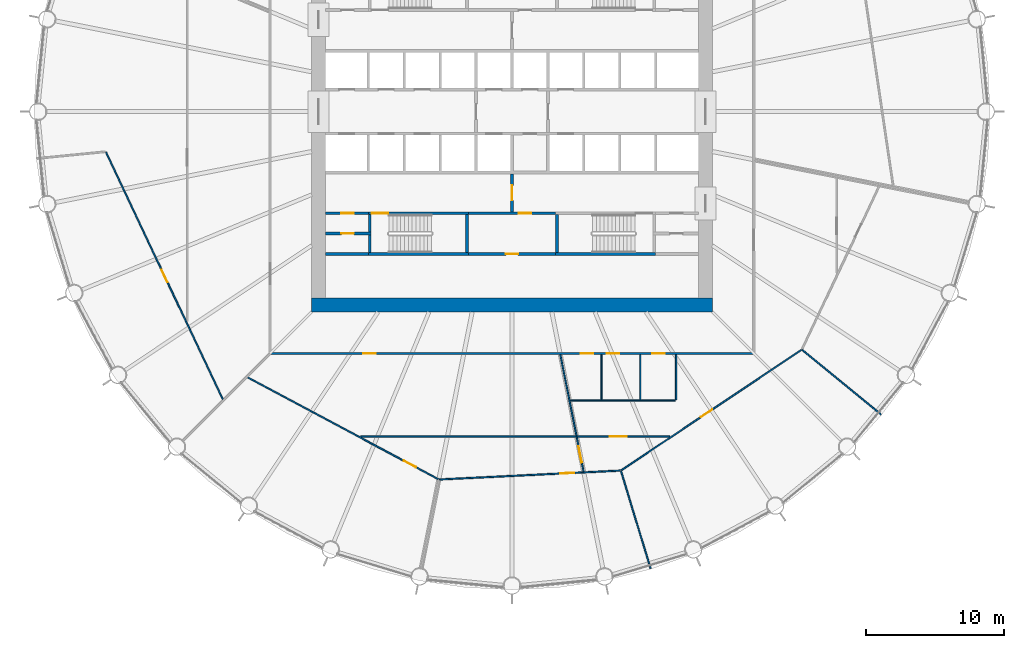
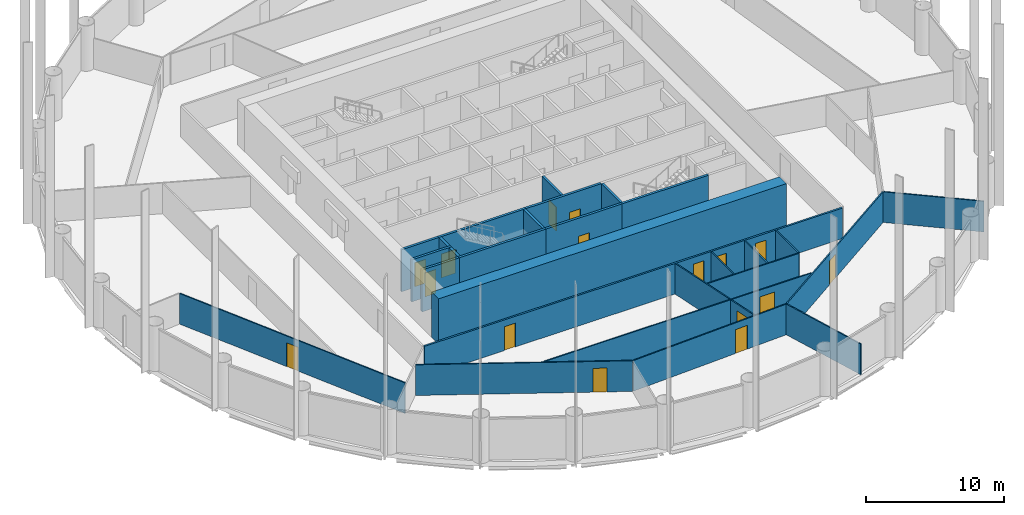
# One storey, part 4 of 10: 28 walls, 16 doors, 16 openings.
"""IFC4 building model written with IfcOpenShell, lengths in metres."""

from ifc_helpers import new_model, si_unit, direction, frame, frame_2d, origin, place, context, subcontext, project, spatial, polyline, rectangle, outline, extrude, material, layer, layer_set, type_object, element, fill, save


model = new_model("IFC4")

# Units and contexts
model_context = context("Model", 3, precision=1e-05, world=origin(), true_north=direction((0.0, 1.0)))
body_context = subcontext(model_context, "Body", "Model", "MODEL_VIEW")
ifc_project = project(units=[si_unit("LENGTHUNIT", "METRE"), si_unit("AREAUNIT", "SQUARE_METRE"), si_unit("VOLUMEUNIT", "CUBIC_METRE"), si_unit("PLANEANGLEUNIT", "RADIAN"), si_unit("MASSUNIT", "GRAM", prefix="KILO")], contexts=[model_context])

# Site, building, storey
site_placement = place(None, origin())
site = spatial("IfcSite", under=ifc_project, at=site_placement, CompositionType="ELEMENT")
building_placement = place(site_placement, origin())
building = spatial("IfcBuilding", under=site, at=building_placement, Name="Corvane Civic Tower", CompositionType="ELEMENT")
storey_placement = place(building_placement, frame((0.0, 0.0, 90.5)))
storey = spatial("IfcBuildingStorey", under=building, at=storey_placement, Name="L20", CompositionType="ELEMENT", Elevation=90.5)

# Wall
ifc_material_1 = material(Name="Concrete C70/85", Category="concrete")
ifc_layer_1 = layer(ifc_material_1, 1.0)
ifc_layer_set_1 = layer_set([ifc_layer_1], Name="Concrete C70/85")
wall_type_1 = type_object("IfcWallType", Name="CORE WALL 1000 C70/85", PredefinedType="SHEAR", material=ifc_layer_set_1)
wall_1_placement = place(storey_placement, frame((-14.5, -14.0, 0.0), z_axis=(0.0, 0.0, 1.0), x_axis=(1.0, 0.0, 0.0)))
element("IfcWall", 1, at=wall_1_placement, inside=storey, type_object=wall_type_1, Name="W-L20-core-S", PredefinedType="SHEAR", context=body_context, shape_type="SweptSolid", body=[
    extrude(rectangle(XDim=29.0, YDim=1.0, at=frame_2d((14.5, 0.0))), origin(), (0.0, 0.0, 1.0), 4.0),
])

# Wall, opening, door
ifc_material_2 = material(Name="Concrete C30/37", Category="concrete")
ifc_layer_2 = layer(ifc_material_2, 0.199951171875)
ifc_layer_set_2 = layer_set([ifc_layer_2], Name="Concrete C30/37")
wall_type_2 = type_object("IfcWallType", Name="CR-WALL-200", PredefinedType="PARTITIONING", material=ifc_layer_set_2)
wall_2_placement = place(storey_placement, frame((-3.14990234375, -10.300048828125, 0.0), z_axis=(0.0, 0.0, 1.0), x_axis=(1.0, 0.0, 0.0)))
wall_2 = element("IfcWall", 2, at=wall_2_placement, inside=storey, type_object=wall_type_2, Name="L20 partition wall", PredefinedType="PARTITIONING", context=body_context, shape_type="SweptSolid", body=[
    extrude(rectangle(XDim=6.2998046875, YDim=0.199951171875, at=frame_2d((3.14990234375, 0.0))), origin(), (0.0, 0.0, 1.0), 3.699951171875),
])
opening_1_placement = place(wall_2_placement, frame((2.699951171875, 0.0, 0.0)))
opening_1 = element("IfcOpeningElement", 3, at=opening_1_placement, cuts=wall_2, Name="Opening L20.C05", PredefinedType="OPENING", context=body_context, shape_type="SweptSolid", body=[
    extrude(rectangle(XDim=0.89990234375, YDim=2.10009765625, at=frame_2d((0.449951171875, 1.050048828125))), frame((0.0, 0.10986328125, 0.0), z_axis=(0.0, -1.0, 0.0), x_axis=(1.0, 0.0, 0.0)), (0.0, 0.0, 1.0), 0.219970703125),
])
ifc_material_3 = material(Name="Steel fire door leaf", Category="steel")
door_type_1 = type_object("IfcDoorType", Name="CR-DOOR-900", OperationType="SINGLE_SWING_LEFT", PredefinedType="DOOR", material=ifc_material_3)
door_1_placement = place(opening_1_placement, origin())
door_1 = element("IfcDoor", 4, at=door_1_placement, inside=storey, type_object=door_type_1, Name="L20 door", OperationType="SINGLE_SWING_LEFT", OverallHeight=2.10009765625, OverallWidth=0.89990234375, PredefinedType="DOOR", context=body_context, shape_type="SweptSolid", body=[
    extrude(rectangle(XDim=0.89990234375, YDim=2.10009765625, at=frame_2d((0.449951171875, 1.050048828125))), frame((0.0, 0.02490234375, 0.0), z_axis=(0.0, -1.0, 0.0), x_axis=(1.0, 0.0, 0.0)), (0.0, 0.0, 1.0), 0.050048828125),
])
fill(opening_1, door_1)

wall_3_placement = place(storey_placement, frame((-13.5, -8.824951171875, 0.0), z_axis=(0.0, 0.0, 1.0), x_axis=(1.0, 0.0, 0.0)))
wall_3 = element("IfcWall", 5, at=wall_3_placement, inside=storey, type_object=wall_type_2, Name="L20 partition wall", PredefinedType="PARTITIONING", context=body_context, shape_type="SweptSolid", body=[
    extrude(rectangle(XDim=3.300048828125, YDim=0.199951171875, at=frame_2d((1.64990234375, 0.0))), origin(), (0.0, 0.0, 1.0), 3.699951171875),
])
opening_2_placement = place(wall_3_placement, frame((1.14990234375, 0.0, 0.0)))
opening_2 = element("IfcOpeningElement", 6, at=opening_2_placement, cuts=wall_3, Name="Opening L20.C09", PredefinedType="OPENING", context=body_context, shape_type="SweptSolid", body=[
    extrude(rectangle(XDim=0.89990234375, YDim=2.10009765625, at=frame_2d((0.449951171875, 1.050048828125))), frame((0.0, 0.10986328125, 0.0), z_axis=(0.0, -1.0, 0.0), x_axis=(1.0, 0.0, 0.0)), (0.0, 0.0, 1.0), 0.219970703125),
])
door_2_placement = place(opening_2_placement, origin())
door_2 = element("IfcDoor", 7, at=door_2_placement, inside=storey, type_object=door_type_1, Name="L20 door", OperationType="SINGLE_SWING_LEFT", OverallHeight=2.10009765625, OverallWidth=0.89990234375, PredefinedType="DOOR", context=body_context, shape_type="SweptSolid", body=[
    extrude(rectangle(XDim=0.89990234375, YDim=2.10009765625, at=frame_2d((0.449951171875, 1.050048828125))), frame((0.0, 0.02490234375, 0.0), z_axis=(0.0, -1.0, 0.0), x_axis=(1.0, 0.0, 0.0)), (0.0, 0.0, 1.0), 0.050048828125),
])
fill(opening_2, door_2)

wall_4_placement = place(storey_placement, frame((-13.5, -7.35009765625, 0.0), z_axis=(0.0, 0.0, 1.0), x_axis=(1.0, 0.0, 0.0)))
wall_4 = element("IfcWall", 8, at=wall_4_placement, inside=storey, type_object=wall_type_2, Name="L20 core partition wall", PredefinedType="PARTITIONING", context=body_context, shape_type="SweptSolid", body=[
    extrude(rectangle(XDim=3.10009765625, YDim=0.199951171875, at=frame_2d((1.550048828125, 0.0))), origin(), (0.0, 0.0, 1.0), 3.699951171875),
])
opening_3_placement = place(wall_4_placement, frame((1.14990234375, 0.0, 0.0)))
opening_3 = element("IfcOpeningElement", 9, at=opening_3_placement, cuts=wall_4, Name="Opening L20.C08", PredefinedType="OPENING", context=body_context, shape_type="SweptSolid", body=[
    extrude(rectangle(XDim=0.89990234375, YDim=2.10009765625, at=frame_2d((0.449951171875, 1.050048828125))), frame((0.0, 0.10986328125, 0.0), z_axis=(0.0, -1.0, 0.0), x_axis=(1.0, 0.0, 0.0)), (0.0, 0.0, 1.0), 0.219970703125),
])
door_3_placement = place(opening_3_placement, origin())
door_3 = element("IfcDoor", 10, at=door_3_placement, inside=storey, type_object=door_type_1, Name="L20 door", OperationType="SINGLE_SWING_LEFT", OverallHeight=2.10009765625, OverallWidth=0.89990234375, PredefinedType="DOOR", context=body_context, shape_type="SweptSolid", body=[
    extrude(rectangle(XDim=0.89990234375, YDim=2.10009765625, at=frame_2d((0.449951171875, 1.050048828125))), frame((0.0, 0.02490234375, 0.0), z_axis=(0.0, -1.0, 0.0), x_axis=(1.0, 0.0, 0.0)), (0.0, 0.0, 1.0), 0.050048828125),
])
fill(opening_3, door_3)

wall_5_placement = place(storey_placement, frame((-3.14990234375, -7.35009765625, 0.0), z_axis=(0.0, 0.0, 1.0), x_axis=(1.0, 0.0, 0.0)))
wall_5 = element("IfcWall", 11, at=wall_5_placement, inside=storey, type_object=wall_type_2, Name="L20 partition wall", PredefinedType="PARTITIONING", context=body_context, shape_type="SweptSolid", body=[
    extrude(rectangle(XDim=6.2998046875, YDim=0.199951171875, at=frame_2d((3.14990234375, 0.0))), origin(), (0.0, 0.0, 1.0), 3.699951171875),
])
opening_4_placement = place(wall_5_placement, frame((3.64990234375, 0.0, 0.0)))
opening_4 = element("IfcOpeningElement", 12, at=opening_4_placement, cuts=wall_5, Name="Opening L20.C03", PredefinedType="OPENING", context=body_context, shape_type="SweptSolid", body=[
    extrude(rectangle(XDim=0.89990234375, YDim=2.10009765625, at=frame_2d((0.449951171875, 1.050048828125))), frame((0.0, 0.10986328125, 0.0), z_axis=(0.0, -1.0, 0.0), x_axis=(1.0, 0.0, 0.0)), (0.0, 0.0, 1.0), 0.219970703125),
])
door_4_placement = place(opening_4_placement, origin())
door_4 = element("IfcDoor", 13, at=door_4_placement, inside=storey, type_object=door_type_1, Name="L20 door", OperationType="SINGLE_SWING_LEFT", OverallHeight=2.10009765625, OverallWidth=0.89990234375, PredefinedType="DOOR", context=body_context, shape_type="SweptSolid", body=[
    extrude(rectangle(XDim=0.89990234375, YDim=2.10009765625, at=frame_2d((0.449951171875, 1.050048828125))), frame((0.0, 0.02490234375, 0.0), z_axis=(0.0, -1.0, 0.0), x_axis=(1.0, 0.0, 0.0)), (0.0, 0.0, 1.0), 0.050048828125),
])
fill(opening_4, door_4)

wall_6_placement = place(storey_placement, frame((0.0, -7.25, 0.0), z_axis=(0.0, 0.0, 1.0), x_axis=(0.0, 1.0, 0.0)))
wall_6 = element("IfcWall", 14, at=wall_6_placement, inside=storey, type_object=wall_type_2, Name="L20 core partition wall", PredefinedType="PARTITIONING", context=body_context, shape_type="SweptSolid", body=[
    extrude(rectangle(XDim=2.75, YDim=0.199951171875, at=frame_2d((1.375, 0.0))), origin(), (0.0, 0.0, 1.0), 3.699951171875),
])
opening_5_placement = place(wall_6_placement, frame((0.824951171875, 0.0, 0.0)))
opening_5 = element("IfcOpeningElement", 15, at=opening_5_placement, cuts=wall_6, Name="Opening L20.C21", PredefinedType="OPENING", context=body_context, shape_type="SweptSolid", body=[
    extrude(rectangle(XDim=1.10009765625, YDim=2.10009765625, at=frame_2d((0.550048828125, 1.050048828125))), frame((0.0, 0.10986328125, 0.0), z_axis=(0.0, -1.0, 0.0), x_axis=(1.0, 0.0, 0.0)), (0.0, 0.0, 1.0), 0.219970703125),
])
ifc_material_4 = material(Name="Steel fire door leaf", Category="steel")
door_type_2 = type_object("IfcDoorType", Name="CR-DOOR-FFL-1100", OperationType="SINGLE_SWING_LEFT", PredefinedType="DOOR", material=ifc_material_4)
door_5_placement = place(opening_5_placement, origin())
door_5 = element("IfcDoor", 16, at=door_5_placement, inside=storey, type_object=door_type_2, Name="L20 lobby door", OperationType="SINGLE_SWING_LEFT", OverallHeight=2.10009765625, OverallWidth=1.10009765625, PredefinedType="DOOR", context=body_context, shape_type="SweptSolid", body=[
    extrude(rectangle(XDim=1.10009765625, YDim=2.10009765625, at=frame_2d((0.550048828125, 1.050048828125))), frame((0.0, 0.02490234375, 0.0), z_axis=(0.0, -1.0, 0.0), x_axis=(1.0, 0.0, 0.0)), (0.0, 0.0, 1.0), 0.050048828125),
])
fill(opening_5, door_5)

# Walls
wall_7_placement = place(storey_placement, origin())
element("IfcWall", 17, at=wall_7_placement, inside=storey, type_object=wall_type_2, Name="L20 core partition wall", PredefinedType="PARTITIONING", context=body_context, shape_type="SweptSolid", body=[
    extrude(outline(polyline([(-10.39990234375, -10.39990234375), (-13.5, -10.39990234375), (-13.5, -10.199951171875), (-10.39990234375, -10.199951171875), (-10.39990234375, -10.39990234375)])), origin(), (0.0, 0.0, 1.0), 3.699951171875),
])
ifc_material_5 = material(Name="Plasterboard")
ifc_layer_3 = layer(ifc_material_5, 0.10009765625)
ifc_layer_set_3 = layer_set([ifc_layer_3], Name="Plasterboard")
wall_type_3 = type_object("IfcWallType", Name="Partition 100 plasterboard on studs", PredefinedType="PARTITIONING", material=ifc_layer_set_3)
wall_8_placement = place(storey_placement, frame((7.889892578125, -26.010009765625, 0.0), z_axis=(0.0, 0.0, 1.0), x_axis=(0.290291483037, -0.956938271194, 0.0)))
element("IfcWall", 18, at=wall_8_placement, inside=storey, type_object=wall_type_3, Name="Partition L20.001", PredefinedType="PARTITIONING", context=body_context, shape_type="SweptSolid", body=[
    extrude(rectangle(XDim=7.369873046875, YDim=0.10009765625, at=frame_2d((3.68505859375, 0.0))), origin(), (0.0, 0.0, 1.0), 2.699951171875),
])

# Wall, opening, door
wall_9_placement = place(storey_placement, frame((-5.256103515625, -26.617919921875, 0.0), z_axis=(0.0, 0.0, 1.0), x_axis=(0.998795606062, 0.049064623825, 0.0)))
wall_9 = element("IfcWall", 19, at=wall_9_placement, inside=storey, type_object=wall_type_3, Name="Partition L20.003", PredefinedType="PARTITIONING", context=body_context, shape_type="SweptSolid", body=[
    extrude(rectangle(XDim=13.111572265625, YDim=0.10009765625, at=frame_2d((6.5556640625, 0.0))), origin(), (0.0, 0.0, 1.0), 2.699951171875),
])
opening_6_placement = place(wall_9_placement, frame((8.76953125, 0.0, 0.0)))
opening_6 = element("IfcOpeningElement", 20, at=opening_6_placement, cuts=wall_9, Name="Opening L20.015", PredefinedType="OPENING", context=body_context, shape_type="SweptSolid", body=[
    extrude(rectangle(XDim=1.0, YDim=2.10009765625, at=frame_2d((0.5, 1.050048828125))), frame((0.0, 0.06005859375, 0.0), z_axis=(0.0, -1.0, 0.0), x_axis=(1.0, 0.0, 0.0)), (0.0, 0.0, 1.0), 0.1201171875),
])
ifc_material_6 = material(Name="Timber", Category="wood")
door_type_3 = type_object("IfcDoorType", Name="Single door 1000", OperationType="NOTDEFINED", PredefinedType="DOOR", material=ifc_material_6)
door_6_placement = place(opening_6_placement, frame((1.0, 0.0, 0.0), z_axis=(0.0, 0.0, 1.0), x_axis=(-1.0, 0.0, 0.0)))
door_6 = element("IfcDoor", 21, at=door_6_placement, inside=storey, type_object=door_type_3, Name="Door L20.015", OperationType="SINGLE_SWING_RIGHT", OverallHeight=2.10009765625, OverallWidth=1.0, PredefinedType="DOOR", context=body_context, shape_type="SweptSolid", body=[
    extrude(rectangle(XDim=1.0, YDim=2.10009765625, at=frame_2d((0.5, 1.050048828125))), frame((0.0, 0.02490234375, 0.0), z_axis=(0.0, -1.0, 0.0), x_axis=(1.0, 0.0, 0.0)), (0.0, 0.0, 1.0), 0.050048828125),
])
fill(opening_6, door_6)

wall_10_placement = place(storey_placement, frame((-19.13232421875, -19.223388671875, 0.0), z_axis=(0.0, 0.0, 1.0), x_axis=(0.881917358686, -0.471404043734, 0.0)))
wall_10 = element("IfcWall", 22, at=wall_10_placement, inside=storey, type_object=wall_type_3, Name="Partition L20.004", PredefinedType="PARTITIONING", context=body_context, shape_type="SweptSolid", body=[
    extrude(rectangle(XDim=15.653076171875, YDim=0.10009765625, at=frame_2d((7.82666015625, 0.0))), origin(), (0.0, 0.0, 1.0), 2.699951171875),
])
opening_7_placement = place(wall_10_placement, frame((12.809326171875, 0.0, 0.0)))
opening_7 = element("IfcOpeningElement", 23, at=opening_7_placement, cuts=wall_10, Name="Opening L20.016", PredefinedType="OPENING", context=body_context, shape_type="SweptSolid", body=[
    extrude(rectangle(XDim=1.0, YDim=2.10009765625, at=frame_2d((0.5, 1.050048828125))), frame((0.0, 0.06005859375, 0.0), z_axis=(0.0, -1.0, 0.0), x_axis=(1.0, 0.0, 0.0)), (0.0, 0.0, 1.0), 0.1201171875),
])
door_7_placement = place(opening_7_placement, frame((1.0, 0.0, 0.0), z_axis=(0.0, 0.0, 1.0), x_axis=(-1.0, 0.0, 0.0)))
door_7 = element("IfcDoor", 24, at=door_7_placement, inside=storey, type_object=door_type_3, Name="Door L20.016", OperationType="SINGLE_SWING_LEFT", OverallHeight=2.10009765625, OverallWidth=1.0, PredefinedType="DOOR", context=body_context, shape_type="SweptSolid", body=[
    extrude(rectangle(XDim=1.0, YDim=2.10009765625, at=frame_2d((0.5, 1.050048828125))), frame((0.0, 0.02490234375, 0.0), z_axis=(0.0, -1.0, 0.0), x_axis=(1.0, 0.0, 0.0)), (0.0, 0.0, 1.0), 0.050048828125),
])
fill(opening_7, door_7)

wall_11_placement = place(storey_placement, frame((4.684326171875, -23.550048828125, 0.0), z_axis=(0.0, 0.0, 1.0), x_axis=(0.195101986683, -0.980782960085, 0.0)))
wall_11 = element("IfcWall", 25, at=wall_11_placement, inside=storey, type_object=wall_type_3, Name="Partition L20.005", PredefinedType="PARTITIONING", context=body_context, shape_type="SweptSolid", body=[
    extrude(rectangle(XDim=2.54638671875, YDim=0.10009765625, at=frame_2d((1.273193359375, 0.0))), origin(), (0.0, 0.0, 1.0), 2.699951171875),
])
opening_8_placement = place(wall_11_placement, frame((0.6767578125, 0.0, 0.0)))
opening_8 = element("IfcOpeningElement", 26, at=opening_8_placement, cuts=wall_11, Name="Opening L20.019", PredefinedType="OPENING", context=body_context, shape_type="SweptSolid", body=[
    extrude(rectangle(XDim=1.199951171875, YDim=2.10009765625, at=frame_2d((0.60009765625, 1.050048828125))), frame((0.0, 0.06005859375, 0.0), z_axis=(0.0, -1.0, 0.0), x_axis=(1.0, 0.0, 0.0)), (0.0, 0.0, 1.0), 0.1201171875),
])
ifc_material_7 = material(Name="Timber", Category="wood")
door_type_4 = type_object("IfcDoorType", Name="Double door 1200", OperationType="NOTDEFINED", PredefinedType="DOOR", material=ifc_material_7)
door_8_placement = place(opening_8_placement, frame((1.199951171875, 0.0, 0.0), z_axis=(0.0, 0.0, 1.0), x_axis=(-1.0, 0.0, 0.0)))
door_8 = element("IfcDoor", 27, at=door_8_placement, inside=storey, type_object=door_type_4, Name="Door L20.019", OperationType="DOUBLE_DOOR_SINGLE_SWING", OverallHeight=2.10009765625, OverallWidth=1.199951171875, PredefinedType="DOOR", context=body_context, shape_type="SweptSolid", body=[
    extrude(rectangle(XDim=1.199951171875, YDim=2.10009765625, at=frame_2d((0.60009765625, 1.050048828125))), frame((0.0, 0.02490234375, 0.0), z_axis=(0.0, -1.0, 0.0), x_axis=(1.0, 0.0, 0.0)), (0.0, 0.0, 1.0), 0.050048828125),
])
fill(opening_8, door_8)

wall_12_placement = place(storey_placement, frame((7.909423828125, -25.951904296875, 0.0), z_axis=(0.0, 0.0, 1.0), x_axis=(0.831479863578, 0.555554890595, 0.0)))
wall_12 = element("IfcWall", 28, at=wall_12_placement, inside=storey, type_object=wall_type_3, Name="Partition L20.006", PredefinedType="PARTITIONING", context=body_context, shape_type="SweptSolid", body=[
    extrude(rectangle(XDim=15.68310546875, YDim=0.10009765625, at=frame_2d((7.841552734375, 0.0))), origin(), (0.0, 0.0, 1.0), 2.699951171875),
])
opening_9_placement = place(wall_12_placement, frame((6.9169921875, 0.0, 0.0)))
opening_9 = element("IfcOpeningElement", 29, at=opening_9_placement, cuts=wall_12, Name="Opening L20.014", PredefinedType="OPENING", context=body_context, shape_type="SweptSolid", body=[
    extrude(rectangle(XDim=1.0, YDim=2.10009765625, at=frame_2d((0.5, 1.050048828125))), frame((0.0, 0.06005859375, 0.0), z_axis=(0.0, -1.0, 0.0), x_axis=(1.0, 0.0, 0.0)), (0.0, 0.0, 1.0), 0.1201171875),
])
door_9_placement = place(opening_9_placement, frame((1.0, 0.0, 0.0), z_axis=(0.0, 0.0, 1.0), x_axis=(-1.0, 0.0, 0.0)))
door_9 = element("IfcDoor", 30, at=door_9_placement, inside=storey, type_object=door_type_3, Name="Door L20.014", OperationType="SINGLE_SWING_LEFT", OverallHeight=2.10009765625, OverallWidth=1.0, PredefinedType="DOOR", context=body_context, shape_type="SweptSolid", body=[
    extrude(rectangle(XDim=1.0, YDim=2.10009765625, at=frame_2d((0.5, 1.050048828125))), frame((0.0, 0.02490234375, 0.0), z_axis=(0.0, -1.0, 0.0), x_axis=(1.0, 0.0, 0.0)), (0.0, 0.0, 1.0), 0.050048828125),
])
fill(opening_9, door_9)

wall_13_placement = place(storey_placement, frame((-10.93212890625, -23.5, 0.0), z_axis=(0.0, 0.0, 1.0), x_axis=(1.0, 0.0, 0.0)))
wall_13 = element("IfcWall", 31, at=wall_13_placement, inside=storey, type_object=wall_type_3, Name="Partition L20.008", PredefinedType="PARTITIONING", context=body_context, shape_type="SweptSolid", body=[
    extrude(rectangle(XDim=22.346435546875, YDim=0.10009765625, at=frame_2d((11.17333984375, 0.0))), origin(), (0.0, 0.0, 1.0), 2.699951171875),
])
opening_10_placement = place(wall_13_placement, frame((18.02001953125, 0.0, 0.0)))
opening_10 = element("IfcOpeningElement", 32, at=opening_10_placement, cuts=wall_13, Name="Opening L20.017", PredefinedType="OPENING", context=body_context, shape_type="SweptSolid", body=[
    extrude(rectangle(XDim=1.199951171875, YDim=2.10009765625, at=frame_2d((0.60009765625, 1.050048828125))), frame((0.0, 0.06005859375, 0.0), z_axis=(0.0, -1.0, 0.0), x_axis=(1.0, 0.0, 0.0)), (0.0, 0.0, 1.0), 0.1201171875),
])
door_10_placement = place(opening_10_placement, frame((1.199951171875, 0.0, 0.0), z_axis=(0.0, 0.0, 1.0), x_axis=(-1.0, 0.0, 0.0)))
door_10 = element("IfcDoor", 33, at=door_10_placement, inside=storey, type_object=door_type_4, Name="Door L20.017", OperationType="DOUBLE_DOOR_SINGLE_SWING", OverallHeight=2.10009765625, OverallWidth=1.199951171875, PredefinedType="DOOR", context=body_context, shape_type="SweptSolid", body=[
    extrude(rectangle(XDim=1.199951171875, YDim=2.10009765625, at=frame_2d((0.60009765625, 1.050048828125))), frame((0.0, 0.02490234375, 0.0), z_axis=(0.0, -1.0, 0.0), x_axis=(1.0, 0.0, 0.0)), (0.0, 0.0, 1.0), 0.050048828125),
])
fill(opening_10, door_10)

# Walls
wall_14_placement = place(storey_placement, frame((3.497802734375, -17.584716796875, 0.0), z_axis=(0.0, 0.0, 1.0), x_axis=(0.195101563709, -0.980783044225, 0.0)))
element("IfcWall", 34, at=wall_14_placement, inside=storey, type_object=wall_type_3, Name="Partition L20.009", PredefinedType="PARTITIONING", context=body_context, shape_type="SweptSolid", body=[
    extrude(rectangle(XDim=5.97021484375, YDim=0.10009765625, at=frame_2d((2.985107421875, 0.0))), origin(), (0.0, 0.0, 1.0), 2.699951171875),
])
wall_15_placement = place(storey_placement, frame((21.0107421875, -17.2431640625, 0.0), z_axis=(0.0, 0.0, 1.0), x_axis=(0.773019218966, -0.634382603094, 0.0)))
element("IfcWall", 35, at=wall_15_placement, inside=storey, type_object=wall_type_3, Name="Partition L20.010", PredefinedType="PARTITIONING", context=body_context, shape_type="SweptSolid", body=[
    extrude(rectangle(XDim=7.369873046875, YDim=0.10009765625, at=frame_2d((3.68505859375, 0.0))), origin(), (0.0, 0.0, 1.0), 2.699951171875),
])
wall_16_placement = place(storey_placement, frame((4.21826171875, -20.89990234375, 0.0), z_axis=(0.0, 0.0, 1.0), x_axis=(1.0, 0.0, 0.0)))
element("IfcWall", 36, at=wall_16_placement, inside=storey, type_object=wall_type_3, Name="Partition L20.011", PredefinedType="PARTITIONING", context=body_context, shape_type="SweptSolid", body=[
    extrude(rectangle(XDim=7.61279296875, YDim=0.10009765625, at=frame_2d((3.806396484375, 0.0))), origin(), (0.0, 0.0, 1.0), 2.699951171875),
])
for number, where, z_axis, x_axis, name in (
    (37, (6.48095703125, -20.85009765625, 0.0), (0.0, 0.0, 1.0), (0.0, 1.0, 0.0), "Partition L20.012"),
    (38, (9.281005859375, -20.85009765625, 0.0), (0.0, 0.0, 1.0), (0.0, 1.0, 0.0), "Partition L20.013"),
    (39, (11.881103515625, -20.85009765625, 0.0), (0.0, 0.0, 1.0), (0.0, 1.0, 0.0), "Partition L20.014"),
):
    element("IfcWall", number, at=place(storey_placement, frame(where, z_axis=z_axis, x_axis=x_axis)), inside=storey, type_object=wall_type_3, Name=name, PredefinedType="PARTITIONING", context=body_context, shape_type="SweptSolid", body=[
        extrude(rectangle(XDim=3.275146484375, YDim=0.10009765625, at=frame_2d((1.6376953125, 0.0))), origin(), (0.0, 0.0, 1.0), 2.699951171875),
    ])

# Wall, opening, door
wall_17_placement = place(storey_placement, frame((-29.386962890625, -2.927734375, 0.0), z_axis=(0.0, 0.0, 1.0), x_axis=(0.427565778499, -0.903984239385, 0.0)))
wall_17 = element("IfcWall", 40, at=wall_17_placement, inside=storey, type_object=wall_type_3, Name="Partition L20.015", PredefinedType="PARTITIONING", context=body_context, shape_type="SweptSolid", body=[
    extrude(rectangle(XDim=19.800048828125, YDim=0.10009765625, at=frame_2d((9.89990234375, 0.0))), origin(), (0.0, 0.0, 1.0), 2.699951171875),
])
opening_11_placement = place(wall_17_placement, frame((9.417724609375, 0.0, 0.0)))
opening_11 = element("IfcOpeningElement", 41, at=opening_11_placement, cuts=wall_17, Name="Opening L20.001", PredefinedType="OPENING", context=body_context, shape_type="SweptSolid", body=[
    extrude(rectangle(XDim=1.0, YDim=2.10009765625, at=frame_2d((0.5, 1.050048828125))), frame((0.0, 0.06005859375, 0.0), z_axis=(0.0, -1.0, 0.0), x_axis=(1.0, 0.0, 0.0)), (0.0, 0.0, 1.0), 0.1201171875),
])
door_11_placement = place(opening_11_placement, frame((1.0, 0.0, 0.0), z_axis=(0.0, 0.0, 1.0), x_axis=(-1.0, 0.0, 0.0)))
door_11 = element("IfcDoor", 42, at=door_11_placement, inside=storey, type_object=door_type_3, Name="Door L20.001", OperationType="SINGLE_SWING_LEFT", OverallHeight=2.10009765625, OverallWidth=1.0, PredefinedType="DOOR", context=body_context, shape_type="SweptSolid", body=[
    extrude(rectangle(XDim=1.0, YDim=2.10009765625, at=frame_2d((0.5, 1.050048828125))), frame((0.0, 0.02490234375, 0.0), z_axis=(0.0, -1.0, 0.0), x_axis=(1.0, 0.0, 0.0)), (0.0, 0.0, 1.0), 0.050048828125),
])
fill(opening_11, door_11)

ifc_material_8 = material(Name="Concrete C50/60", Category="concrete")
ifc_layer_4 = layer(ifc_material_8, 0.199951171875)
ifc_layer_set_4 = layer_set([ifc_layer_4], Name="Concrete C50/60")
wall_type_4 = type_object("IfcWallType", Name="ST-WALL-200", PredefinedType="SHEAR", material=ifc_layer_set_4)
wall_18_placement = place(storey_placement, frame((-10.39990234375, -7.35009765625, 0.0), z_axis=(0.0, 0.0, 1.0), x_axis=(1.0, 0.0, 0.0)))
wall_18 = element("IfcWall", 43, at=wall_18_placement, inside=storey, type_object=wall_type_4, Name="L20 stair enclosure wall", PredefinedType="SHEAR", context=body_context, shape_type="SweptSolid", body=[
    extrude(rectangle(XDim=7.25, YDim=0.199951171875, at=frame_2d((3.625, 0.0))), origin(), (0.0, 0.0, 1.0), 3.699951171875),
])
opening_12_placement = place(wall_18_placement, frame((0.25, 0.0, 0.0)))
opening_12 = element("IfcOpeningElement", 44, at=opening_12_placement, cuts=wall_18, Name="Opening L20.C17", PredefinedType="OPENING", context=body_context, shape_type="SweptSolid", body=[
    extrude(rectangle(XDim=1.199951171875, YDim=2.10009765625, at=frame_2d((0.60009765625, 1.050048828125))), frame((0.0, 0.10986328125, 0.0), z_axis=(0.0, -1.0, 0.0), x_axis=(1.0, 0.0, 0.0)), (0.0, 0.0, 1.0), 0.219970703125),
])
ifc_material_9 = material(Name="Steel fire door leaf", Category="steel")
door_type_5 = type_object("IfcDoorType", Name="ST-DOOR-1200", OperationType="SINGLE_SWING_RIGHT", PredefinedType="DOOR", material=ifc_material_9)
door_12_placement = place(opening_12_placement, origin())
door_12 = element("IfcDoor", 45, at=door_12_placement, inside=storey, type_object=door_type_5, Name="L20 stair door", OperationType="SINGLE_SWING_RIGHT", OverallHeight=2.10009765625, OverallWidth=1.199951171875, PredefinedType="DOOR", context=body_context, shape_type="SweptSolid", body=[
    extrude(rectangle(XDim=1.199951171875, YDim=2.10009765625, at=frame_2d((0.60009765625, 1.050048828125))), frame((0.0, 0.02490234375, 0.0), z_axis=(0.0, -1.0, 0.0), x_axis=(1.0, 0.0, 0.0)), (0.0, 0.0, 1.0), 0.050048828125),
])
fill(opening_12, door_12)

# Walls
wall_19_placement = place(storey_placement, origin())
element("IfcWall", 46, at=wall_19_placement, inside=storey, type_object=wall_type_4, Name="L20 stair enclosure wall", PredefinedType="SHEAR", context=body_context, shape_type="SweptSolid", body=[
    extrude(outline(polyline([(-3.14990234375, -10.199951171875), (-3.14990234375, -10.39990234375), (-10.39990234375, -10.39990234375), (-10.39990234375, -10.199951171875), (-3.14990234375, -10.199951171875)])), origin(), (0.0, 0.0, 1.0), 3.699951171875),
])
wall_20_placement = place(storey_placement, origin())
element("IfcWall", 47, at=wall_20_placement, inside=storey, type_object=wall_type_4, Name="L20 stair enclosure wall", PredefinedType="SHEAR", context=body_context, shape_type="SweptSolid", body=[
    extrude(outline(polyline([(10.39990234375, -10.39990234375), (3.14990234375, -10.39990234375), (3.14990234375, -10.199951171875), (10.39990234375, -10.199951171875), (10.39990234375, -10.39990234375)])), origin(), (0.0, 0.0, 1.0), 3.699951171875),
])
wall_21_placement = place(storey_placement, origin())
element("IfcWall", 48, at=wall_21_placement, inside=storey, type_object=wall_type_4, Name="L20 stair enclosure wall", PredefinedType="SHEAR", context=body_context, shape_type="SweptSolid", body=[
    extrude(outline(polyline([(-3.14990234375, -7.449951171875), (-3.14990234375, -10.199951171875), (-3.35009765625, -10.199951171875), (-3.35009765625, -7.449951171875), (-3.14990234375, -7.449951171875)])), origin(), (0.0, 0.0, 1.0), 3.699951171875),
])
wall_22_placement = place(storey_placement, origin())
element("IfcWall", 49, at=wall_22_placement, inside=storey, type_object=wall_type_4, Name="L20 stair enclosure wall", PredefinedType="SHEAR", context=body_context, shape_type="SweptSolid", body=[
    extrude(outline(polyline([(3.35009765625, -7.449951171875), (3.35009765625, -10.199951171875), (3.14990234375, -10.199951171875), (3.14990234375, -7.449951171875), (3.35009765625, -7.449951171875)])), origin(), (0.0, 0.0, 1.0), 3.699951171875),
])
wall_23_placement = place(storey_placement, origin())
element("IfcWall", 50, at=wall_23_placement, inside=storey, type_object=wall_type_4, Name="L20 stair enclosure wall", PredefinedType="SHEAR", context=body_context, shape_type="SweptSolid", body=[
    extrude(outline(polyline([(-10.199951171875, -7.449951171875), (-10.199951171875, -8.72509765625), (-10.39990234375, -8.72509765625), (-10.39990234375, -7.449951171875), (-10.199951171875, -7.449951171875)])), origin(), (0.0, 0.0, 1.0), 3.699951171875),
])
wall_24_placement = place(storey_placement, origin())
element("IfcWall", 51, at=wall_24_placement, inside=storey, type_object=wall_type_4, Name="L20 stair enclosure wall", PredefinedType="SHEAR", context=body_context, shape_type="SweptSolid", body=[
    extrude(outline(polyline([(-10.199951171875, -8.925048828125), (-10.199951171875, -10.199951171875), (-10.39990234375, -10.199951171875), (-10.39990234375, -8.925048828125), (-10.199951171875, -8.925048828125)])), origin(), (0.0, 0.0, 1.0), 3.699951171875),
])

# Wall, openings, doors
ifc_material_10 = material(Name="Plasterboard")
ifc_layer_5 = layer(ifc_material_10, 0.14990234375)
ifc_layer_set_5 = layer_set([ifc_layer_5], Name="Plasterboard")
wall_type_5 = type_object("IfcWallType", Name="Tenancy wall 150 EI 60", PredefinedType="PARTITIONING", material=ifc_layer_set_5)
wall_25_placement = place(storey_placement, frame((-17.425048828125, -17.5, 0.0), z_axis=(0.0, 0.0, 1.0), x_axis=(1.0, 0.0, 0.0)))
wall_25 = element("IfcWall", 52, at=wall_25_placement, inside=storey, type_object=wall_type_5, Name="Partition L20.016", PredefinedType="PARTITIONING", context=body_context, shape_type="SweptSolid", body=[
    extrude(rectangle(XDim=34.85009765625, YDim=0.14990234375, at=frame_2d((17.425048828125, 0.0))), origin(), (0.0, 0.0, 1.0), 2.699951171875),
])
opening_13_placement = place(wall_25_placement, frame((6.656982421875, 0.0, 0.0)))
opening_13 = element("IfcOpeningElement", 53, at=opening_13_placement, cuts=wall_25, Name="Opening L20.021", PredefinedType="OPENING", context=body_context, shape_type="SweptSolid", body=[
    extrude(rectangle(XDim=0.89990234375, YDim=2.10009765625, at=frame_2d((0.449951171875, 1.050048828125))), frame((0.0, 0.0849609375, 0.0), z_axis=(0.0, -1.0, 0.0), x_axis=(1.0, 0.0, 0.0)), (0.0, 0.0, 1.0), 0.169921875),
])
opening_14_placement = place(wall_25_placement, frame((24.273681640625, 0.0, 0.0)))
opening_14 = element("IfcOpeningElement", 54, at=opening_14_placement, cuts=wall_25, Name="Opening L20.022", PredefinedType="OPENING", context=body_context, shape_type="SweptSolid", body=[
    extrude(rectangle(XDim=0.89990234375, YDim=2.10009765625, at=frame_2d((0.449951171875, 1.050048828125))), frame((0.0, 0.0849609375, 0.0), z_axis=(0.0, -1.0, 0.0), x_axis=(1.0, 0.0, 0.0)), (0.0, 0.0, 1.0), 0.169921875),
])
opening_15_placement = place(wall_25_placement, frame((22.393798828125, 0.0, 0.0)))
opening_15 = element("IfcOpeningElement", 55, at=opening_15_placement, cuts=wall_25, Name="Opening L20.023", PredefinedType="OPENING", context=body_context, shape_type="SweptSolid", body=[
    extrude(rectangle(XDim=0.89990234375, YDim=2.10009765625, at=frame_2d((0.449951171875, 1.050048828125))), frame((0.0, 0.0849609375, 0.0), z_axis=(0.0, -1.0, 0.0), x_axis=(1.0, 0.0, 0.0)), (0.0, 0.0, 1.0), 0.169921875),
])
opening_16_placement = place(wall_25_placement, frame((27.574951171875, 0.0, 0.0)))
opening_16 = element("IfcOpeningElement", 56, at=opening_16_placement, cuts=wall_25, Name="Opening L20.024", PredefinedType="OPENING", context=body_context, shape_type="SweptSolid", body=[
    extrude(rectangle(XDim=0.89990234375, YDim=2.10009765625, at=frame_2d((0.449951171875, 1.050048828125))), frame((0.0, 0.0849609375, 0.0), z_axis=(0.0, -1.0, 0.0), x_axis=(1.0, 0.0, 0.0)), (0.0, 0.0, 1.0), 0.169921875),
])
ifc_material_11 = material(Name="Steel and timber", Category="steel")
door_type_6 = type_object("IfcDoorType", Name="Fire door FD30S 900", OperationType="NOTDEFINED", PredefinedType="DOOR", material=ifc_material_11)
door_13_placement = place(opening_13_placement, frame((0.89990234375, 0.0, 0.0), z_axis=(0.0, 0.0, 1.0), x_axis=(-1.0, 0.0, 0.0)))
door_13 = element("IfcDoor", 57, at=door_13_placement, inside=storey, type_object=door_type_6, Name="Door L20.021", OperationType="SINGLE_SWING_RIGHT", OverallHeight=2.10009765625, OverallWidth=0.89990234375, PredefinedType="DOOR", context=body_context, shape_type="SweptSolid", body=[
    extrude(rectangle(XDim=0.89990234375, YDim=2.10009765625, at=frame_2d((0.449951171875, 1.050048828125))), frame((0.0, 0.02490234375, 0.0), z_axis=(0.0, -1.0, 0.0), x_axis=(1.0, 0.0, 0.0)), (0.0, 0.0, 1.0), 0.050048828125),
])
fill(opening_13, door_13)
door_14_placement = place(opening_14_placement, frame((0.89990234375, 0.0, 0.0), z_axis=(0.0, 0.0, 1.0), x_axis=(-1.0, 0.0, 0.0)))
door_14 = element("IfcDoor", 58, at=door_14_placement, inside=storey, type_object=door_type_6, Name="Door L20.022", OperationType="SINGLE_SWING_LEFT", OverallHeight=2.10009765625, OverallWidth=0.89990234375, PredefinedType="DOOR", context=body_context, shape_type="SweptSolid", body=[
    extrude(rectangle(XDim=0.89990234375, YDim=2.10009765625, at=frame_2d((0.449951171875, 1.050048828125))), frame((0.0, 0.02490234375, 0.0), z_axis=(0.0, -1.0, 0.0), x_axis=(1.0, 0.0, 0.0)), (0.0, 0.0, 1.0), 0.050048828125),
])
fill(opening_14, door_14)
door_15_placement = place(opening_15_placement, frame((0.89990234375, 0.0, 0.0), z_axis=(0.0, 0.0, 1.0), x_axis=(-1.0, 0.0, 0.0)))
door_15 = element("IfcDoor", 59, at=door_15_placement, inside=storey, type_object=door_type_6, Name="Door L20.023", OperationType="SINGLE_SWING_LEFT", OverallHeight=2.10009765625, OverallWidth=0.89990234375, PredefinedType="DOOR", context=body_context, shape_type="SweptSolid", body=[
    extrude(rectangle(XDim=0.89990234375, YDim=2.10009765625, at=frame_2d((0.449951171875, 1.050048828125))), frame((0.0, 0.02490234375, 0.0), z_axis=(0.0, -1.0, 0.0), x_axis=(1.0, 0.0, 0.0)), (0.0, 0.0, 1.0), 0.050048828125),
])
fill(opening_15, door_15)
door_16_placement = place(opening_16_placement, frame((0.89990234375, 0.0, 0.0), z_axis=(0.0, 0.0, 1.0), x_axis=(-1.0, 0.0, 0.0)))
door_16 = element("IfcDoor", 60, at=door_16_placement, inside=storey, type_object=door_type_6, Name="Door L20.024", OperationType="SINGLE_SWING_RIGHT", OverallHeight=2.10009765625, OverallWidth=0.89990234375, PredefinedType="DOOR", context=body_context, shape_type="SweptSolid", body=[
    extrude(rectangle(XDim=0.89990234375, YDim=2.10009765625, at=frame_2d((0.449951171875, 1.050048828125))), frame((0.0, 0.02490234375, 0.0), z_axis=(0.0, -1.0, 0.0), x_axis=(1.0, 0.0, 0.0)), (0.0, 0.0, 1.0), 0.050048828125),
])
fill(opening_16, door_16)

save(model, "model.ifc")
